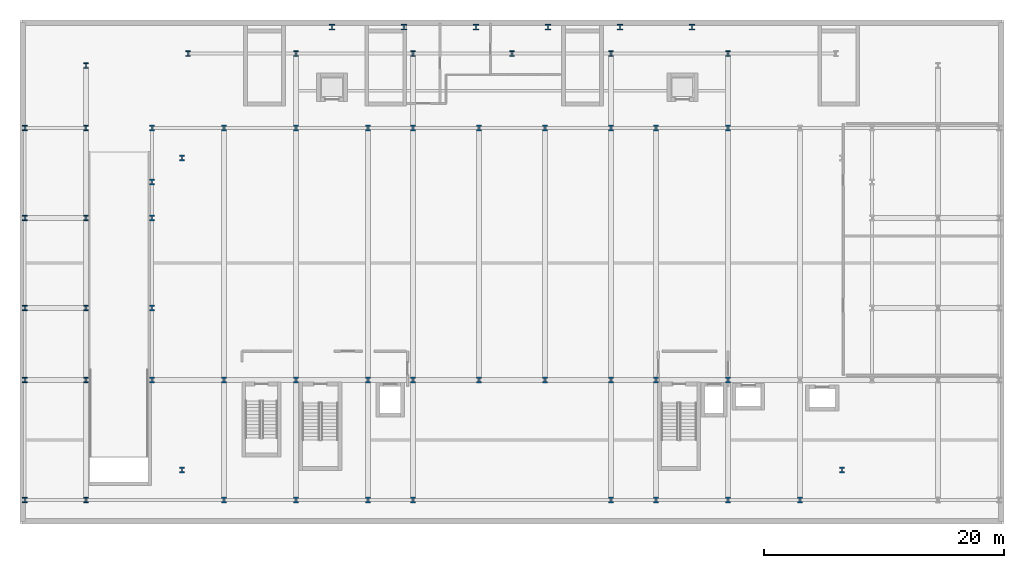
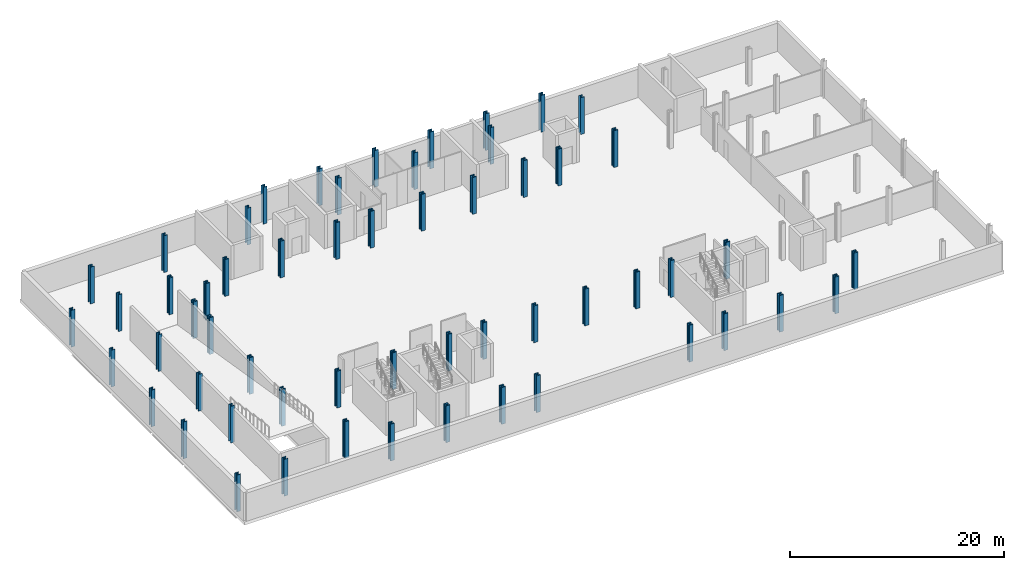
# One storey, part 1 of 12: 57 columns.
"""IFC4 building model written with IfcOpenShell, lengths in metres."""

from ifc_helpers import new_model, si_unit, direction, frame, origin, origin_2d, place, context, subcontext, project, spatial, i_section, extrude, material, material_profile, profile_set, type_object, element, save


model = new_model("IFC4")

# Units and contexts
model_context = context("Model", 3, precision=1e-05, world=origin(), true_north=direction((0.0, 1.0)))
body_context = subcontext(model_context, "Body", "Model", "MODEL_VIEW")
ifc_project = project(units=[si_unit("LENGTHUNIT", "METRE"), si_unit("AREAUNIT", "SQUARE_METRE"), si_unit("VOLUMEUNIT", "CUBIC_METRE"), si_unit("PLANEANGLEUNIT", "RADIAN"), si_unit("MASSUNIT", "GRAM", prefix="KILO")], contexts=[model_context])

# Site, building, storey
site_placement = place(None, origin())
site = spatial("IfcSite", under=ifc_project, at=site_placement, CompositionType="ELEMENT")
building_placement = place(site_placement, origin())
building = spatial("IfcBuilding", under=site, at=building_placement, Name="Brevholm Reach", CompositionType="ELEMENT")
storey_placement = place(building_placement, frame((0.0, 0.0, -4.199951171875)))
storey = spatial("IfcBuildingStorey", under=building, at=storey_placement, Name="B01", CompositionType="ELEMENT", Elevation=-4.199951171875)

# Columns
ifc_material_1 = material(Name="Structural Steel S460ML", Category="steel")
ifc_material_profile_1 = material_profile(ifc_material_1, i_section(OverallWidth=0.427978515625, OverallDepth=0.468994140625, WebThickness=0.077880859375, FlangeThickness=0.125, FilletRadius=0.014892578125, at=origin_2d()), Name="HD 400x1086")
ifc_profile_set_1 = profile_set([ifc_material_profile_1], Name="Structural Steel S460ML")
column_type_1 = type_object("IfcColumnType", Name="COL-HD1", PredefinedType="COLUMN", material=ifc_profile_set_1)
for number, where, z_axis, x_axis, name in (
    (1, (0.0, 10.0, 0.0), (0.0, 0.0, 1.0), (1.0, 0.0, 0.0), "B01 Column 12"),
    (2, (0.0, 16.0, 0.0), (0.0, 0.0, 1.0), (1.0, 0.0, 0.0), "B01 Column 13"),
    (3, (0.0, 23.5, 0.0), (0.0, 0.0, 1.0), (1.0, 0.0, 0.0), "B01 Column 14"),
    (4, (0.0, 26.5, 0.0), (0.0, 0.0, 1.0), (1.0, 0.0, 0.0), "B01 Column 15"),
    (5, (0.0, 31.0, 0.0), (0.0, 0.0, 1.0), (1.0, 0.0, 0.0), "B01 Column 16"),
    (6, (2.5, 2.5, 0.0), (0.0, 0.0, 1.0), (1.0, 0.0, 0.0), "B01 Column 17"),
    (7, (2.5, 28.5, 0.0), (0.0, 0.0, 1.0), (1.0, 0.0, 0.0), "B01 Column 18"),
    (8, (6.0, 0.0, 0.0), (0.0, 0.0, 1.0), (1.0, 0.0, 0.0), "B01 Column 20"),
    (9, (6.0, 10.0, 0.0), (0.0, 0.0, 1.0), (1.0, 0.0, 0.0), "B01 Column 21"),
    (10, (6.0, 31.0, 0.0), (0.0, 0.0, 1.0), (1.0, 0.0, 0.0), "B01 Column 22"),
    (11, (12.0, 0.0, 0.0), (0.0, 0.0, 1.0), (1.0, 0.0, 0.0), "B01 Column 23"),
    (12, (12.0, 10.0, 0.0), (0.0, 0.0, 1.0), (1.0, 0.0, 0.0), "B01 Column 24"),
    (13, (12.0, 31.0, 0.0), (0.0, 0.0, 1.0), (1.0, 0.0, 0.0), "B01 Column 25"),
    (14, (18.0, 0.0, 0.0), (0.0, 0.0, 1.0), (1.0, 0.0, 0.0), "B01 Column 27"),
    (15, (18.0, 10.0, 0.0), (0.0, 0.0, 1.0), (1.0, 0.0, 0.0), "B01 Column 28"),
    (16, (18.0, 31.0, 0.0), (0.0, 0.0, 1.0), (1.0, 0.0, 0.0), "B01 Column 29"),
    (17, (21.75, 0.0, 0.0), (0.0, 0.0, 1.0), (1.0, 0.0, 0.0), "B01 Column 30"),
    (18, (21.75, 10.0, 0.0), (0.0, 0.0, 1.0), (1.0, 0.0, 0.0), "B01 Column 31"),
    (19, (21.75, 31.0, 0.0), (0.0, 0.0, 1.0), (1.0, 0.0, 0.0), "B01 Column 32"),
    (20, (27.25, 10.0, 0.0), (0.0, 0.0, 1.0), (1.0, 0.0, 0.0), "B01 Column 34"),
    (21, (27.25, 31.0, 0.0), (0.0, 0.0, 1.0), (1.0, 0.0, 0.0), "B01 Column 35"),
    (22, (32.75, 10.0, 0.0), (0.0, 0.0, 1.0), (1.0, 0.0, 0.0), "B01 Column 37"),
    (23, (32.75, 31.0, 0.0), (0.0, 0.0, 1.0), (1.0, 0.0, 0.0), "B01 Column 38"),
    (24, (38.25, 0.0, 0.0), (0.0, 0.0, 1.0), (1.0, 0.0, 0.0), "B01 Column 39"),
    (25, (38.25, 10.0, 0.0), (0.0, 0.0, 1.0), (1.0, 0.0, 0.0), "B01 Column 40"),
    (26, (38.25, 31.0, 0.0), (0.0, 0.0, 1.0), (1.0, 0.0, 0.0), "B01 Column 41"),
    (27, (42.0, 0.0, 0.0), (0.0, 0.0, 1.0), (1.0, 0.0, 0.0), "B01 Column 43"),
    (28, (42.0, 10.0, 0.0), (0.0, 0.0, 1.0), (1.0, 0.0, 0.0), "B01 Column 44"),
    (29, (42.0, 31.0, 0.0), (0.0, 0.0, 1.0), (1.0, 0.0, 0.0), "B01 Column 45"),
    (30, (48.0, 0.0, 0.0), (0.0, 0.0, 1.0), (1.0, 0.0, 0.0), "B01 Column 46"),
    (31, (48.0, 10.0, 0.0), (0.0, 0.0, 1.0), (1.0, 0.0, 0.0), "B01 Column 47"),
    (32, (48.0, 31.0, 0.0), (0.0, 0.0, 1.0), (1.0, 0.0, 0.0), "B01 Column 48"),
    (33, (54.0, 0.0, 0.0), (0.0, 0.0, 1.0), (1.0, 0.0, 0.0), "B01 Column 50"),
    (34, (57.5, 2.5, 0.0), (0.0, 0.0, 1.0), (1.0, 0.0, 0.0), "B01 Column 54"),
):
    element("IfcColumn", number, at=place(storey_placement, frame(where, z_axis=z_axis, x_axis=x_axis)), inside=storey, type_object=column_type_1, Name=name, PredefinedType="COLUMN", context=body_context, shape_type="SweptSolid", body=[
        extrude(i_section(OverallWidth=0.427978515625, OverallDepth=0.468994140625, WebThickness=0.077880859375, FlangeThickness=0.125, FilletRadius=0.014892578125, at=origin_2d()), origin(), (0.0, 0.0, 1.0), 4.199951171875),
    ])
ifc_material_2 = material(Name="Structural Steel S460ML", Category="steel")
ifc_material_profile_2 = material_profile(ifc_material_2, i_section(OverallWidth=0.41845703125, OverallDepth=0.45556640625, WebThickness=0.0419921875, FlangeThickness=0.0673828125, FilletRadius=0.01513671875, at=origin_2d()), Name="UKC 356x406x551")
ifc_profile_set_2 = profile_set([ifc_material_profile_2], Name="Structural Steel S460ML")
column_type_2 = type_object("IfcColumnType", Name="COL-UC2", PredefinedType="COLUMN", material=ifc_profile_set_2)
for number, where, z_axis, x_axis, name in (
    (35, (15.0, 39.39990234375, 0.0), (0.0, 0.0, 1.0), (1.0, 0.0, 0.0), "B01 Pilaster Support Column CP-01"),
    (36, (21.0, 39.39990234375, 0.0), (0.0, 0.0, 1.0), (1.0, 0.0, 0.0), "B01 Pilaster Support Column CP-02"),
    (37, (27.0, 39.39990234375, 0.0), (0.0, 0.0, 1.0), (1.0, 0.0, 0.0), "B01 Pilaster Support Column CP-03"),
    (38, (33.0, 39.39990234375, 0.0), (0.0, 0.0, 1.0), (1.0, 0.0, 0.0), "B01 Pilaster Support Column CP-04"),
    (39, (39.0, 39.39990234375, 0.0), (0.0, 0.0, 1.0), (1.0, 0.0, 0.0), "B01 Pilaster Support Column CP-05"),
    (40, (45.0, 39.39990234375, 0.0), (0.0, 0.0, 1.0), (1.0, 0.0, 0.0), "B01 Pilaster Support Column CP-06"),
):
    element("IfcColumn", number, at=place(storey_placement, frame(where, z_axis=z_axis, x_axis=x_axis)), inside=storey, type_object=column_type_2, Name=name, PredefinedType="COLUMN", context=body_context, shape_type="SweptSolid", body=[
        extrude(i_section(OverallWidth=0.41845703125, OverallDepth=0.45556640625, WebThickness=0.0419921875, FlangeThickness=0.0673828125, FilletRadius=0.01513671875, at=origin_2d()), origin(), (0.0, 0.0, 1.0), 4.199951171875),
    ])
ifc_material_3 = material(Name="Structural Steel S460ML", Category="steel")
ifc_material_profile_3 = material_profile(ifc_material_3, i_section(OverallWidth=0.412109375, OverallDepth=0.4365234375, WebThickness=0.035888671875, FlangeThickness=0.05810546875, FilletRadius=0.01513671875, at=origin_2d()), Name="UKC 356x406x467")
ifc_profile_set_3 = profile_set([ifc_material_profile_3], Name="Structural Steel S460ML")
column_type_3 = type_object("IfcColumnType", Name="COL-UC3", PredefinedType="COLUMN", material=ifc_profile_set_3)
for number, where, z_axis, x_axis, name in (
    (41, (-10.60009765625, 0.0, 0.0), (0.0, 0.0, 1.0), (1.0, 0.0, 0.0), "B01 Column 01"),
    (42, (-10.60009765625, 10.0, 0.0), (0.0, 0.0, 1.0), (1.0, 0.0, 0.0), "B01 Column 02"),
    (43, (-10.60009765625, 16.0, 0.0), (0.0, 0.0, 1.0), (1.0, 0.0, 0.0), "B01 Column 03"),
    (44, (-10.60009765625, 23.5, 0.0), (0.0, 0.0, 1.0), (1.0, 0.0, 0.0), "B01 Column 04"),
    (45, (-10.60009765625, 31.0, 0.0), (0.0, 0.0, 1.0), (1.0, 0.0, 0.0), "B01 Column 05"),
    (46, (-5.5, 0.0, 0.0), (0.0, 0.0, 1.0), (1.0, 0.0, 0.0), "B01 Column 06"),
    (47, (-5.5, 10.0, 0.0), (0.0, 0.0, 1.0), (1.0, 0.0, 0.0), "B01 Column 07"),
    (48, (-5.5, 16.0, 0.0), (0.0, 0.0, 1.0), (1.0, 0.0, 0.0), "B01 Column 08"),
    (49, (-5.5, 23.5, 0.0), (0.0, 0.0, 1.0), (1.0, 0.0, 0.0), "B01 Column 09"),
    (50, (-5.5, 31.0, 0.0), (0.0, 0.0, 1.0), (1.0, 0.0, 0.0), "B01 Column 10"),
    (51, (-5.5, 36.199951171875, 0.0), (0.0, 0.0, 1.0), (1.0, 0.0, 0.0), "B01 Column 11"),
    (52, (3.0, 37.199951171875, 0.0), (0.0, 0.0, 1.0), (1.0, 0.0, 0.0), "B01 Column 19"),
    (53, (12.0, 37.199951171875, 0.0), (0.0, 0.0, 1.0), (1.0, 0.0, 0.0), "B01 Column 26"),
    (54, (21.75, 37.199951171875, 0.0), (0.0, 0.0, 1.0), (1.0, 0.0, 0.0), "B01 Column 33"),
    (55, (30.0, 37.199951171875, 0.0), (0.0, 0.0, 1.0), (1.0, 0.0, 0.0), "B01 Column 36"),
    (56, (38.25, 37.199951171875, 0.0), (0.0, 0.0, 1.0), (1.0, 0.0, 0.0), "B01 Column 42"),
    (57, (48.0, 37.199951171875, 0.0), (0.0, 0.0, 1.0), (1.0, 0.0, 0.0), "B01 Column 49"),
):
    element("IfcColumn", number, at=place(storey_placement, frame(where, z_axis=z_axis, x_axis=x_axis)), inside=storey, type_object=column_type_3, Name=name, PredefinedType="COLUMN", context=body_context, shape_type="SweptSolid", body=[
        extrude(i_section(OverallWidth=0.412109375, OverallDepth=0.4365234375, WebThickness=0.035888671875, FlangeThickness=0.05810546875, FilletRadius=0.01513671875, at=origin_2d()), origin(), (0.0, 0.0, 1.0), 4.199951171875),
    ])

save(model, "model.ifc")
